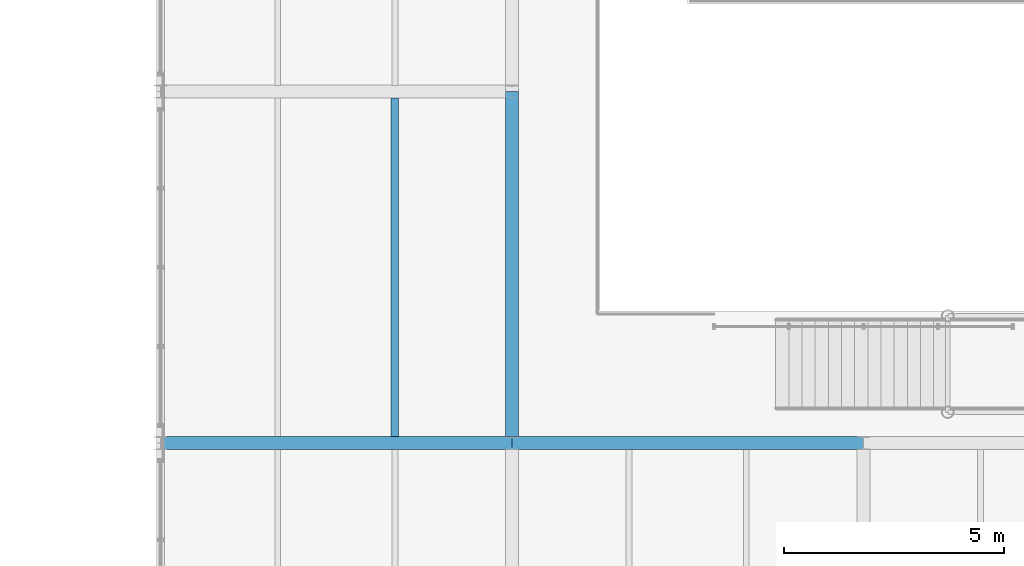
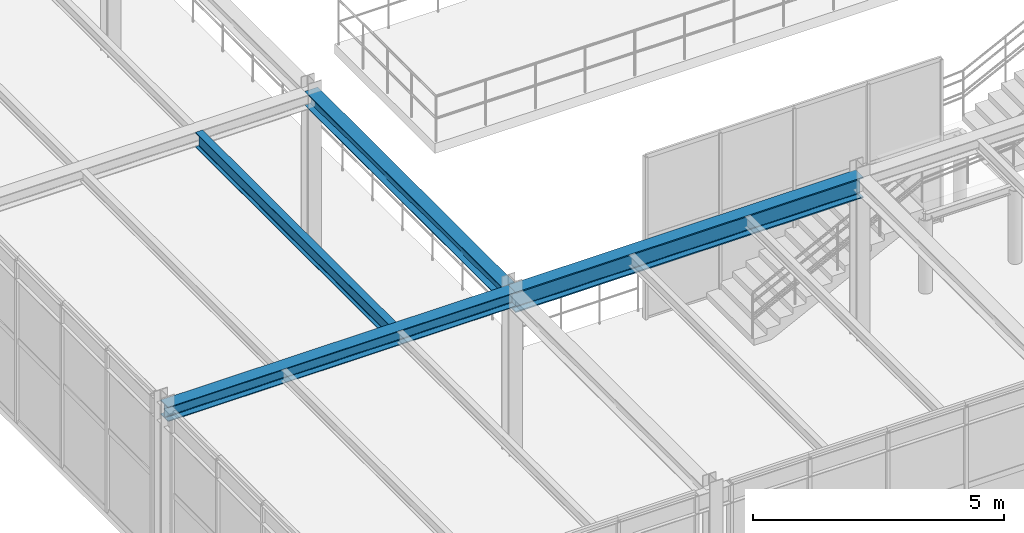
# One storey, part 36 of 124: 4 beams.
"""IFC4 building model written with IfcOpenShell, lengths in metres."""

import ifcopenshell
import ifcopenshell.guid

model = None  # the IFC model being written
_history = None  # IfcOwnerHistory: only IFC2X3 demands one
_inside = {}  # id of a spatial element -> (the spatial element, [elements in it])
_under = {}  # id of a project, library or spatial element -> (it, [spatial elements below it])
_declared = {}  # id of a project -> (the project, [libraries it declares])
_typed = {}  # id of a type object -> (the type object, [elements of that type])
_made_of = {}  # id of a material, layer set ... -> (it, [elements and type objects made of it])


def new_model(schema):
    """Start an empty IFC model of exactly this schema.

    Asked for "IFC4X3", IfcOpenShell would pick the latest addendum, in which some entities
    have other attributes; the version numbers below select the first issue.
    IFC2X3 requires an IfcOwnerHistory on every rooted entity: one is made here for all.
    """
    global model, _history
    if schema == "IFC4X3":
        model = ifcopenshell.file(schema_version=(4, 3, 0, 0))
    else:
        model = ifcopenshell.file(schema=schema)
    _inside.clear()
    _under.clear()
    _declared.clear()
    _typed.clear()
    _made_of.clear()
    _history = None
    if model.schema == "IFC2X3":
        org = make("IfcOrganization", Name="unknown")
        user = make(
            "IfcPersonAndOrganization",
            ThePerson=make("IfcPerson", FamilyName="unknown"),
            TheOrganization=org,
        )
        app = make(
            "IfcApplication",
            ApplicationDeveloper=org,
            Version="unknown",
            ApplicationFullName="unknown",
            ApplicationIdentifier="unknown",
        )
        _history = make(
            "IfcOwnerHistory",
            OwningUser=user,
            OwningApplication=app,
            ChangeAction="ADDED",
            CreationDate=0,
        )
    return model


def make(cls, **values):
    """One entity of the class cls with the attributes given. An attribute that is None is left unset."""
    return model.create_entity(
        cls, **{name: value for name, value in values.items() if value is not None}
    )


def rooted(cls, **values):
    """An entity with a GlobalId (a new one), such as an element, a storey or a relation."""
    return make(cls, GlobalId=ifcopenshell.guid.new(), OwnerHistory=_history, **values)


def si_unit(unit_type, name, prefix=None):
    """IfcSIUnit, for example si_unit("LENGTHUNIT", "METRE", prefix="MILLI")."""
    return make("IfcSIUnit", UnitType=unit_type, Prefix=prefix, Name=name)


def assignment(units):
    """IfcUnitAssignment: the units of a project."""
    return None if units is None else make("IfcUnitAssignment", Units=units)


def point(xyz):
    """IfcCartesianPoint."""
    return None if xyz is None else make("IfcCartesianPoint", Coordinates=xyz)


def direction(xyz):
    """IfcDirection."""
    return None if xyz is None else make("IfcDirection", DirectionRatios=xyz)


def frame(location, z_axis=None, x_axis=None):
    """IfcAxis2Placement3D, a coordinate frame: its origin and axes. An axis left out is left unset."""
    return make(
        "IfcAxis2Placement3D",
        Location=point(location),
        Axis=direction(z_axis),
        RefDirection=direction(x_axis),
    )


def frame_2d(location, x_axis=None):
    """IfcAxis2Placement2D, a coordinate frame in the plane: its origin and x axis."""
    return make(
        "IfcAxis2Placement2D", Location=point(location), RefDirection=direction(x_axis)
    )


def origin():
    """The frame at (0, 0, 0) with its axes left unset."""
    return frame((0.0, 0.0, 0.0))


def origin_2d():
    """The frame at (0, 0) in the plane with its x axis left unset."""
    return frame_2d((0.0, 0.0))


def place(relative_to, where):
    """IfcLocalPlacement: puts the frame where relative to a parent placement (None: the world)."""
    return make(
        "IfcLocalPlacement", PlacementRelTo=relative_to, RelativePlacement=where
    )


def context(
    kind, dimensions, precision=None, world=None, true_north=None, identifier=None
):
    """IfcGeometricRepresentationContext, for example the 3D "Model" context."""
    return make(
        "IfcGeometricRepresentationContext",
        ContextIdentifier=identifier,
        ContextType=kind,
        CoordinateSpaceDimension=dimensions,
        Precision=precision,
        WorldCoordinateSystem=world,
        TrueNorth=true_north,
    )


def subcontext(parent, identifier, kind, view, scale=None):
    """IfcGeometricRepresentationSubContext, for example "Body" below "Model"."""
    return make(
        "IfcGeometricRepresentationSubContext",
        ContextIdentifier=identifier,
        ContextType=kind,
        ParentContext=parent,
        TargetScale=scale,
        TargetView=view,
    )


def project(units=None, contexts=None):
    """IfcProject with its units and contexts."""
    return rooted(
        "IfcProject",
        Name="project",
        RepresentationContexts=contexts,
        UnitsInContext=assignment(units),
    )


def spatial(cls, under=None, at=None, **own):
    """A site, building, storey or space (cls), placed at a placement, below another one or the project."""
    s = rooted(cls, ObjectPlacement=at, **own)
    if under is not None:
        _under.setdefault(under.id(), (under, []))[1].append(s)
    return s


def profile(cls, at=None, kind="AREA", **sizes):
    """A parametric profile (cls). Its sizes go by their IFC names, for example OverallWidth=200.0."""
    return make(cls, ProfileType=kind, Position=at, **sizes)


def i_section(**sizes):
    """IfcIShapeProfileDef."""
    return profile("IfcIShapeProfileDef", **sizes)


def extrude(swept, where, along, depth):
    """IfcExtrudedAreaSolid: the profile swept, set in the frame where, extruded along a direction by depth."""
    return make(
        "IfcExtrudedAreaSolid",
        SweptArea=swept,
        Position=where,
        ExtrudedDirection=direction(along),
        Depth=depth,
    )


def shape(context_of_items, identifier, shape_type, items):
    """IfcShapeRepresentation: the items that make up one representation, for example the "Body"."""
    return make(
        "IfcShapeRepresentation",
        ContextOfItems=context_of_items,
        RepresentationIdentifier=identifier,
        RepresentationType=shape_type,
        Items=items,
    )


def material(Name=None, Category=None):
    """IfcMaterial."""
    return make("IfcMaterial", Name=Name, Category=Category)


def material_profile(
    of_material, cross_section, Name=None, Category=None, Priority=None
):
    """IfcMaterialProfile: a cross section and its material."""
    return make(
        "IfcMaterialProfile",
        Name=Name,
        Material=of_material,
        Profile=cross_section,
        Priority=Priority,
        Category=Category,
    )


def profile_set(profiles, Name=None, composite=None):
    """IfcMaterialProfileSet."""
    return make(
        "IfcMaterialProfileSet",
        Name=Name,
        MaterialProfiles=profiles,
        CompositeProfile=composite,
    )


def made_of(thing, what):
    """Note that an element or type object is made of a material, layer set ...; save() writes the relation."""
    if what is not None:
        _made_of.setdefault(what.id(), (what, []))[1].append(thing)
    return thing


def type_object(cls, material=None, **own):
    """A type object (cls), such as IfcWallType, which elements share."""
    return made_of(rooted(cls, **own), material)


def element(
    cls,
    number,
    at=None,
    inside=None,
    cuts=None,
    type_object=None,
    material=None,
    context=None,
    identifier="Body",
    shape_type=None,
    held_by="IfcProductDefinitionShape",
    body=None,
    shapes=None,
    **own,
):
    """One element of the class cls, such as IfcWall. Its Tag is "e" and its number.

    at: its placement. inside: the storey or other place that contains it. cuts: it is an
    opening in that element (IfcRelVoidsElement). A single representation is given by context,
    identifier, shape_type and body (its items); several are given by shapes. held_by: the class
    of the entity that holds the representations. save() writes the other relations.
    """
    e = rooted(cls, Tag="e%d" % number, ObjectPlacement=at, **own)
    if body is not None:
        shapes = [shape(context, identifier, shape_type, body)]
    if shapes is not None:
        e.Representation = make(held_by, Representations=shapes)
    if inside is not None:
        _inside.setdefault(inside.id(), (inside, []))[1].append(e)
    if cuts is not None:
        rooted(
            "IfcRelVoidsElement", RelatingBuildingElement=cuts, RelatedOpeningElement=e
        )
    if type_object is not None:
        _typed.setdefault(type_object.id(), (type_object, []))[1].append(e)
    return made_of(e, material)


def aggregate(whole, parts):
    """IfcRelAggregates: a whole, such as a stair, and the parts it consists of."""
    return rooted("IfcRelAggregates", RelatingObject=whole, RelatedObjects=parts)


def save(model, path):
    """Write the relations noted so far, then the file.

    IfcRelAggregates (storeys below a building ...), IfcRelContainedInSpatialStructure (elements
    in a storey), IfcRelDefinesByType, IfcRelAssociatesMaterial and IfcRelDeclares: one each for
    every whole, place, type object, material and project.
    """
    for whole, parts in _under.values():
        aggregate(whole, parts)
    for where, things in _inside.values():
        rooted(
            "IfcRelContainedInSpatialStructure",
            RelatedElements=things,
            RelatingStructure=where,
        )
    for kind, things in _typed.values():
        rooted("IfcRelDefinesByType", RelatedObjects=things, RelatingType=kind)
    for what, things in _made_of.values():
        rooted("IfcRelAssociatesMaterial", RelatedObjects=things, RelatingMaterial=what)
    for by, libraries in _declared.values():
        rooted("IfcRelDeclares", RelatingContext=by, RelatedDefinitions=libraries)
    model.write(path)


model = new_model("IFC4")

# Units and contexts
model_context = context("Model", 3, precision=1e-05, world=origin(), true_north=direction((0.0, 1.0)))
body_context = subcontext(model_context, "Body", "Model", "MODEL_VIEW")
ifc_project = project(units=[si_unit("LENGTHUNIT", "METRE"), si_unit("AREAUNIT", "SQUARE_METRE"), si_unit("VOLUMEUNIT", "CUBIC_METRE"), si_unit("PLANEANGLEUNIT", "RADIAN"), si_unit("MASSUNIT", "GRAM", prefix="KILO")], contexts=[model_context])

# Site, building, storey
site_placement = place(None, origin())
site = spatial("IfcSite", under=ifc_project, at=site_placement, CompositionType="ELEMENT")
building_placement = place(site_placement, origin())
building = spatial("IfcBuilding", under=site, at=building_placement, Name="Sundkrona Museum", CompositionType="ELEMENT")
storey_placement = place(building_placement, frame((0.0, 0.0, 17.60009765625)))
storey = spatial("IfcBuildingStorey", under=building, at=storey_placement, Name="L03", CompositionType="ELEMENT", Elevation=17.60009765625)

# Beams
ifc_material = material(Name="Steel S355J2", Category="steel")
ifc_material_profile_1 = material_profile(ifc_material, i_section(OverallWidth=0.300048828125, OverallDepth=0.35009765625, WebThickness=0.010009765625, FlangeThickness=0.017578125, FilletRadius=0.027099609375, at=origin_2d()), Name="HEA 360")
ifc_profile_set_1 = profile_set([ifc_material_profile_1], Name="Steel S355J2")
beam_type_1 = type_object("IfcBeamType", Name="B-HEA360", PredefinedType="BEAM", material=ifc_profile_set_1)
for number, where, z_axis, x_axis, name in (
    (1, (80.0, 8.0, 3.764892578125), (1.0, 0.0, 0.0), (0.0, 1.0, 0.0), "L03 Girder X-1421"),
    (2, (88.0, 8.0, 3.764892578125), (0.0, 1.0, 0.0), (-1.0, 0.0, 0.0), "L03 Girder Y-1609"),
):
    element("IfcBeam", number, at=place(storey_placement, frame(where, z_axis=z_axis, x_axis=x_axis)), inside=storey, type_object=beam_type_1, Name=name, PredefinedType="BEAM", context=body_context, shape_type="SweptSolid", body=[
        extrude(i_section(OverallWidth=0.300048828125, OverallDepth=0.35009765625, WebThickness=0.010009765625, FlangeThickness=0.017578125, FilletRadius=0.027099609375, at=origin_2d()), origin(), (0.0, 0.0, 1.0), 8.0),
    ])
ifc_material_profile_2 = material_profile(ifc_material, i_section(OverallWidth=0.300048828125, OverallDepth=0.5, WebThickness=0.014404296875, FlangeThickness=0.028076171875, FilletRadius=0.027099609375, at=origin_2d()), Name="HEB 500")
ifc_profile_set_2 = profile_set([ifc_material_profile_2], Name="Steel S355J2")
beam_type_2 = type_object("IfcBeamType", Name="B-HEB500", PredefinedType="BEAM", material=ifc_profile_set_2)
beam_1_placement = place(storey_placement, frame((88.0, 8.0, 3.68994140625), z_axis=(1.0, 0.0, 0.0), x_axis=(0.0, 1.0, 0.0)))
element("IfcBeam", 3, at=beam_1_placement, inside=storey, type_object=beam_type_2, Name="L03 Girder X-1422", PredefinedType="BEAM", context=body_context, shape_type="SweptSolid", body=[
    extrude(i_section(OverallWidth=0.300048828125, OverallDepth=0.5, WebThickness=0.014404296875, FlangeThickness=0.028076171875, FilletRadius=0.027099609375, at=origin_2d()), origin(), (0.0, 0.0, 1.0), 8.0),
])
ifc_material_profile_3 = material_profile(ifc_material, i_section(OverallWidth=0.169921875, OverallDepth=0.360107421875, WebThickness=0.008056640625, FlangeThickness=0.0126953125, FilletRadius=0.01806640625, at=origin_2d()), Name="IPE 360")
ifc_profile_set_3 = profile_set([ifc_material_profile_3], Name="Steel S355J2")
beam_type_3 = type_object("IfcBeamType", Name="J-IPE360", PredefinedType="JOIST", material=ifc_profile_set_3)
beam_2_placement = place(storey_placement, frame((85.333251953125, 8.14404296875, 3.760009765625), z_axis=(0.0, 1.0, 0.0), x_axis=(-1.0, 0.0, 0.0)))
element("IfcBeam", 4, at=beam_2_placement, inside=storey, type_object=beam_type_3, Name="L03 Composite Joist 1045", PredefinedType="JOIST", context=body_context, shape_type="SweptSolid", body=[
    extrude(i_section(OverallWidth=0.169921875, OverallDepth=0.360107421875, WebThickness=0.008056640625, FlangeThickness=0.0126953125, FilletRadius=0.01806640625, at=origin_2d()), origin(), (0.0, 0.0, 1.0), 7.7119140625),
])

save(model, "model.ifc")
